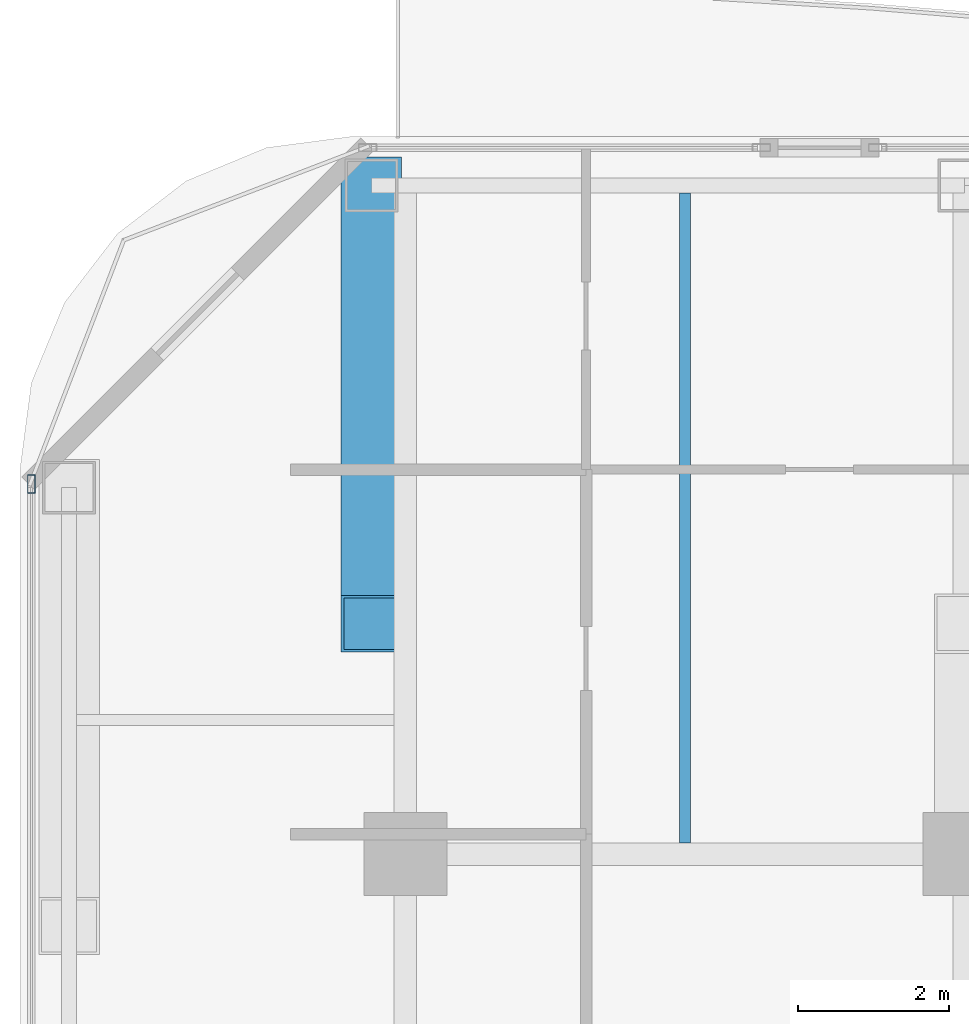
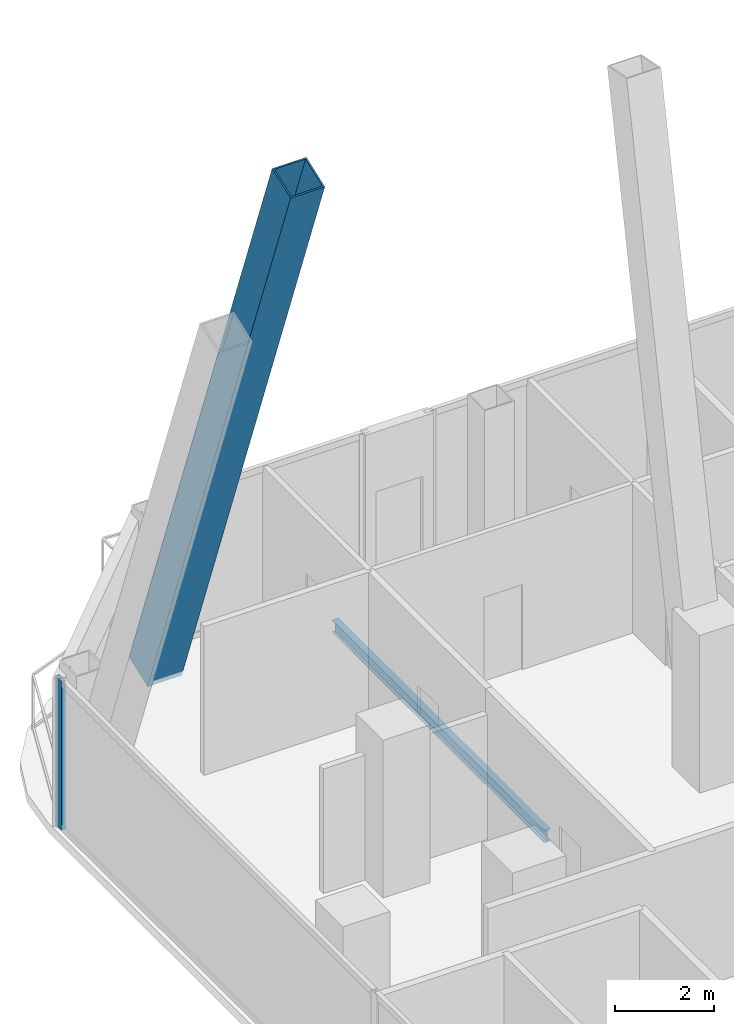
# One storey, part 14 of 28: 2 members, 1 beam, 1 element without a shape of its own.
"""IFC4 building model written with IfcOpenShell, lengths in metres."""

from ifc_helpers import new_model, si_unit, direction, frame, origin, origin_2d, place, context, subcontext, project, spatial, hollow_rectangle, i_section, extrude, material, layer, layer_set, material_profile, profile_set, type_object, element, aggregate, save


model = new_model("IFC4")

# Units and contexts
model_context = context("Model", 3, precision=1e-05, world=origin(), true_north=direction((0.0, 1.0)))
body_context = subcontext(model_context, "Body", "Model", "MODEL_VIEW")
ifc_project = project(units=[si_unit("LENGTHUNIT", "METRE"), si_unit("AREAUNIT", "SQUARE_METRE"), si_unit("VOLUMEUNIT", "CUBIC_METRE"), si_unit("PLANEANGLEUNIT", "RADIAN"), si_unit("MASSUNIT", "GRAM", prefix="KILO")], contexts=[model_context])

# Site, building, storey
site_placement = place(None, origin())
site = spatial("IfcSite", under=ifc_project, at=site_placement, CompositionType="ELEMENT")
building_placement = place(site_placement, origin())
building = spatial("IfcBuilding", under=site, at=building_placement, Name="Khorvyn Point Tower", CompositionType="ELEMENT")
storey_placement = place(building_placement, frame((0.0, 0.0, 121.199951171875)))
storey = spatial("IfcBuildingStorey", under=building, at=storey_placement, Name="L30", CompositionType="ELEMENT", Elevation=121.199951171875)

# Curtain wall, member
ifc_material_1 = material(Name="Anodised aluminium 6063-T6 and laminated Low-E glass", Category="aluminium")
ifc_layer = layer(ifc_material_1, 0.18994140625)
ifc_layer_set = layer_set([ifc_layer], Name="Stick-Built Acoustic Curtain Wall CW-SYS-03")
curtain_wall_type = type_object("IfcCurtainWallType", Name="Stick-Built Acoustic Curtain Wall CW-SYS-03", PredefinedType="NOTDEFINED", material=ifc_layer_set)
curtain_wall_placement = place(storey_placement, origin())
curtain_wall = element("IfcCurtainWall", 1, at=curtain_wall_placement, inside=storey, type_object=curtain_wall_type, Name="Curtain Wall", PredefinedType="NOTDEFINED")
ifc_material_2 = material(Name="Anodised aluminium 6063-T6", Category="aluminium")
ifc_material_profile_1 = material_profile(ifc_material_2, hollow_rectangle(XDim=0.10009765625, YDim=0.239990234375, WallThickness=0.0048828125, at=origin_2d()))
ifc_profile_set_1 = profile_set([ifc_material_profile_1], Name="Anodised aluminium 6063-T6 ALU-MUL-100x240")
member_type_1 = type_object("IfcMemberType", Name="Anodised Aluminium 6063-T6 Mullion ALU-MUL-100x240", PredefinedType="MULLION", material=ifc_profile_set_1)
member_1_placement = place(storey_placement, frame((-19.75, 25.0, 0.0), z_axis=(0.0, 0.0, 1.0), x_axis=(-1.0, 0.0, 0.0)))
member_1 = element("IfcMember", 2, at=member_1_placement, type_object=member_type_1, Name="Transom", PredefinedType="MULLION", context=body_context, shape_type="SweptSolid", body=[
    extrude(hollow_rectangle(XDim=0.10009765625, YDim=0.239990234375, WallThickness=0.0048828125, at=origin_2d()), origin(), (0.0, 0.0, 1.0), 3.679931640625),
])
aggregate(curtain_wall, [member_1])

# Beam
ifc_material_3 = material(Name="Steel S355", Category="steel")
ifc_material_profile_2 = material_profile(ifc_material_3, i_section(OverallWidth=0.14990234375, OverallDepth=0.300048828125, WebThickness=0.006591796875, FlangeThickness=0.009033203125, at=origin_2d()))
ifc_profile_set_2 = profile_set([ifc_material_profile_2], Name="Steel S355 H300x150x6.5x9")
beam_type = type_object("IfcBeamType", Name="Steel S355 Joist H300x150x6.5x9", PredefinedType="JOIST", material=ifc_profile_set_2)
beam_placement = place(storey_placement, frame((-11.10009765625, 20.25, -0.369873046875), z_axis=(0.0, 1.0, 0.0), x_axis=(-1.0, 0.0, 0.0)))
element("IfcBeam", 3, at=beam_placement, inside=storey, type_object=beam_type, Name="Beam", PredefinedType="JOIST", context=body_context, shape_type="SweptSolid", body=[
    extrude(i_section(OverallWidth=0.14990234375, OverallDepth=0.300048828125, WebThickness=0.006591796875, FlangeThickness=0.009033203125, at=origin_2d()), origin(), (0.0, 0.0, 1.0), 8.60009765625),
])

# Member
ifc_material_4 = material(Name="Steel S450", Category="steel")
ifc_material_profile_3 = material_profile(ifc_material_4, hollow_rectangle(XDim=0.800048828125, YDim=0.800048828125, WallThickness=0.035888671875, at=origin_2d()))
ifc_profile_set_3 = profile_set([ifc_material_profile_3], Name="Steel S450 BOX800x800x36")
member_type_2 = type_object("IfcMemberType", Name="Steel S450 Exoskeleton Structural Post BOX800x800x36", PredefinedType="POST", material=ifc_profile_set_3)
member_2_placement = place(storey_placement, frame((-15.25, 28.949951171875, 0.0), z_axis=(0.0, -0.348488886408, 0.937312912559), x_axis=(1.0, 0.0, 0.0)))
element("IfcMember", 4, at=member_2_placement, inside=storey, type_object=member_type_2, Name="L30 to L34 Exoskeleton Transfer Post 03", PredefinedType="POST", context=body_context, shape_type="SweptSolid", body=[
    extrude(hollow_rectangle(XDim=0.800048828125, YDim=0.800048828125, WallThickness=0.035888671875, at=origin_2d()), origin(), (0.0, 0.0, 1.0), 16.643310546875),
])

save(model, "model.ifc")
